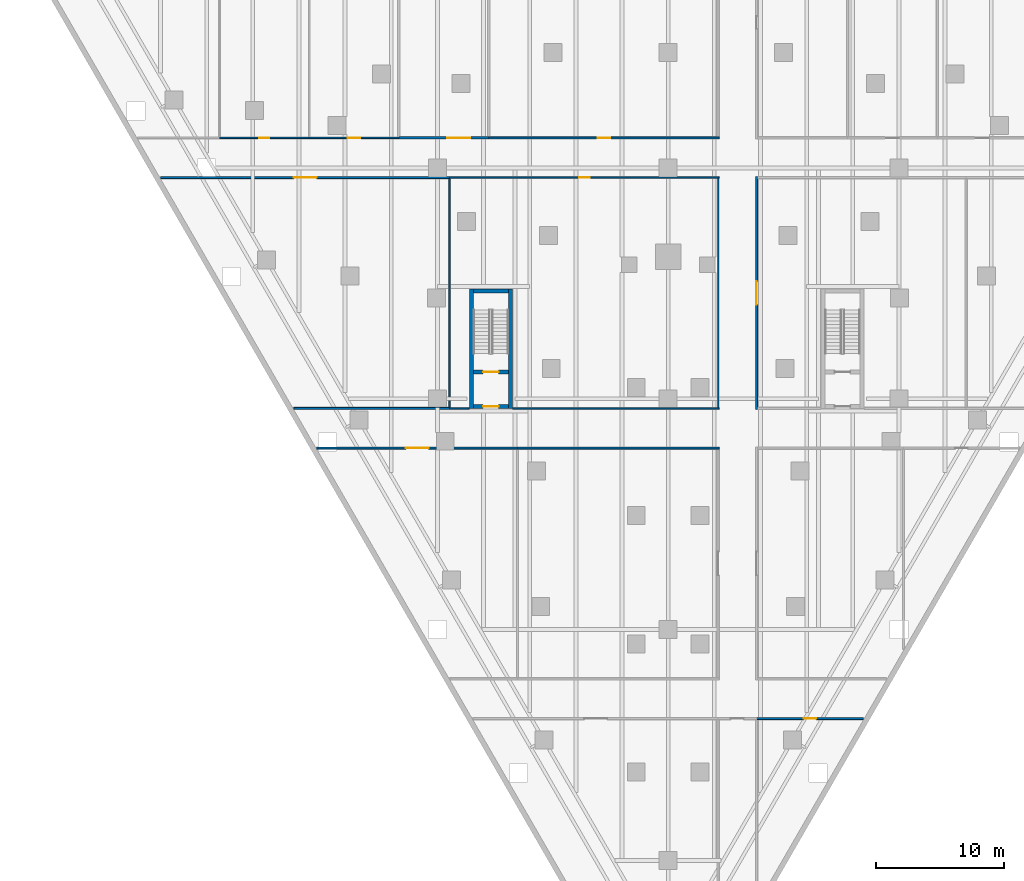
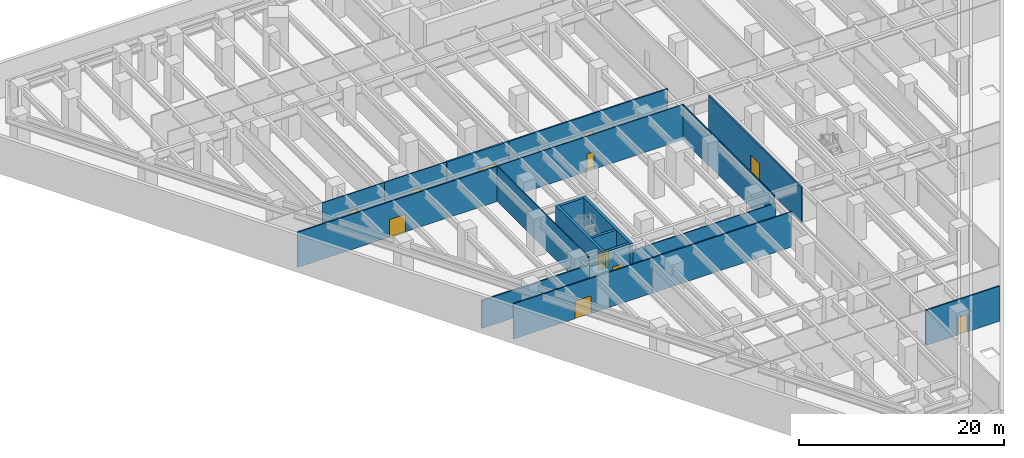
# One storey, part 10 of 20: 20 walls, 11 doors, 11 openings.
"""IFC4 building model written with IfcOpenShell, lengths in metres."""

from ifc_helpers import new_model, si_unit, direction, frame, frame_2d, origin, place, context, subcontext, project, spatial, rectangle, extrude, material, layer, layer_set, type_object, element, fill, save


model = new_model("IFC4")

# Units and contexts
model_context = context("Model", 3, precision=1e-05, world=origin(), true_north=direction((0.0, 1.0)))
body_context = subcontext(model_context, "Body", "Model", "MODEL_VIEW")
ifc_project = project(units=[si_unit("LENGTHUNIT", "METRE"), si_unit("AREAUNIT", "SQUARE_METRE"), si_unit("VOLUMEUNIT", "CUBIC_METRE"), si_unit("PLANEANGLEUNIT", "RADIAN"), si_unit("MASSUNIT", "GRAM", prefix="KILO")], contexts=[model_context])

# Site, building, storey
site_placement = place(None, origin())
site = spatial("IfcSite", under=ifc_project, at=site_placement, CompositionType="ELEMENT")
building_placement = place(site_placement, origin())
building = spatial("IfcBuilding", under=site, at=building_placement, Name="Aloe Facet Convention Tower", CompositionType="ELEMENT")
storey_placement = place(building_placement, frame((0.0, 0.0, -4.5)))
storey = spatial("IfcBuildingStorey", under=building, at=storey_placement, Name="B1", CompositionType="ELEMENT", Elevation=-4.5)

# Walls
ifc_material_1 = material(Name="Concrete C50/60", Category="concrete")
ifc_layer_1 = layer(ifc_material_1, 0.300048828125)
ifc_layer_set_1 = layer_set([ifc_layer_1], Name="CR-W-RC300-C5060")
wall_type_1 = type_object("IfcWallType", Name="CR-W-RC300-C5060", PredefinedType="SOLIDWALL", material=ifc_layer_set_1)
for number, where, z_axis, x_axis, name in (
    (1, (64.64990234375, 80.25, 0.0), (0.0, 0.0, 1.0), (0.0, 1.0, 0.0), "Exit stair wall B1-06"),
    (2, (67.699951171875, 80.25, 0.0), (0.0, 0.0, 1.0), (0.0, 1.0, 0.0), "Exit stair wall B1-07"),
):
    element("IfcWall", number, at=place(storey_placement, frame(where, z_axis=z_axis, x_axis=x_axis)), inside=storey, type_object=wall_type_1, Name=name, PredefinedType="SOLIDWALL", context=body_context, shape_type="SweptSolid", body=[
        extrude(rectangle(XDim=9.300048828125, YDim=0.300048828125, at=frame_2d((4.64990234375, 0.0))), origin(), (0.0, 0.0, 1.0), 4.199951171875),
    ])

# Wall, opening, door
wall_1_placement = place(storey_placement, frame((64.800048828125, 80.39990234375, 0.0), z_axis=(0.0, 0.0, 1.0), x_axis=(1.0, 0.0, 0.0)))
wall_1 = element("IfcWall", 3, at=wall_1_placement, inside=storey, type_object=wall_type_1, Name="Exit stair wall B1-08", PredefinedType="SOLIDWALL", context=body_context, shape_type="SweptSolid", body=[
    extrude(rectangle(XDim=2.75, YDim=0.300048828125, at=frame_2d((1.375, 0.0))), origin(), (0.0, 0.0, 1.0), 4.199951171875),
])
opening_1_placement = place(wall_1_placement, frame((0.77490234375, 0.0, 0.0)))
opening_1 = element("IfcOpeningElement", 4, at=opening_1_placement, cuts=wall_1, Name="Opening B1-ST7-02", PredefinedType="OPENING", context=body_context, shape_type="SweptSolid", body=[
    extrude(rectangle(XDim=1.199951171875, YDim=2.10009765625, at=frame_2d((0.60009765625, 1.050048828125))), frame((0.0, 0.16015625, 0.0), z_axis=(0.0, -1.0, 0.0), x_axis=(1.0, 0.0, 0.0)), (0.0, 0.0, 1.0), 0.320068359375),
])
ifc_material_2 = material(Name="Steel fire-resisting door set FD60", Category="steel")
door_type_1 = type_object("IfcDoorType", Name="CR-D-EXIT-1200-FD60-SRIGHT", OperationType="SINGLE_SWING_RIGHT", PredefinedType="DOOR", material=ifc_material_2)
door_1_placement = place(opening_1_placement, origin())
door_1 = element("IfcDoor", 5, at=door_1_placement, inside=storey, type_object=door_type_1, Name="Stair lobby door B1-ST7-02", OperationType="SINGLE_SWING_RIGHT", OverallHeight=2.10009765625, OverallWidth=1.199951171875, PredefinedType="DOOR", context=body_context, shape_type="SweptSolid", body=[
    extrude(rectangle(XDim=1.199951171875, YDim=2.10009765625, at=frame_2d((0.60009765625, 1.050048828125))), frame((0.0, 0.02490234375, 0.0), z_axis=(0.0, -1.0, 0.0), x_axis=(1.0, 0.0, 0.0)), (0.0, 0.0, 1.0), 0.050048828125),
])
fill(opening_1, door_1)

wall_2_placement = place(storey_placement, frame((64.800048828125, 83.10009765625, 0.0), z_axis=(0.0, 0.0, 1.0), x_axis=(1.0, 0.0, 0.0)))
wall_2 = element("IfcWall", 6, at=wall_2_placement, inside=storey, type_object=wall_type_1, Name="Exit stair wall B1-09", PredefinedType="SOLIDWALL", context=body_context, shape_type="SweptSolid", body=[
    extrude(rectangle(XDim=2.75, YDim=0.300048828125, at=frame_2d((1.375, 0.0))), origin(), (0.0, 0.0, 1.0), 4.199951171875),
])
opening_2_placement = place(wall_2_placement, frame((0.77490234375, 0.0, 0.0)))
opening_2 = element("IfcOpeningElement", 7, at=opening_2_placement, cuts=wall_2, Name="Opening B1-ST7-01", PredefinedType="OPENING", context=body_context, shape_type="SweptSolid", body=[
    extrude(rectangle(XDim=1.199951171875, YDim=2.10009765625, at=frame_2d((0.60009765625, 1.050048828125))), frame((0.0, 0.16015625, 0.0), z_axis=(0.0, -1.0, 0.0), x_axis=(1.0, 0.0, 0.0)), (0.0, 0.0, 1.0), 0.320068359375),
])
ifc_material_3 = material(Name="Steel fire-resisting door set FD120", Category="steel")
door_type_2 = type_object("IfcDoorType", Name="CR-D-STAIR-1200-FD120-SLEFT", OperationType="SINGLE_SWING_LEFT", PredefinedType="DOOR", material=ifc_material_3)
door_2_placement = place(opening_2_placement, origin())
door_2 = element("IfcDoor", 8, at=door_2_placement, inside=storey, type_object=door_type_2, Name="Stair door B1-ST7-01", OperationType="SINGLE_SWING_LEFT", OverallHeight=2.10009765625, OverallWidth=1.199951171875, PredefinedType="DOOR", context=body_context, shape_type="SweptSolid", body=[
    extrude(rectangle(XDim=1.199951171875, YDim=2.10009765625, at=frame_2d((0.60009765625, 1.050048828125))), frame((0.0, 0.02490234375, 0.0), z_axis=(0.0, -1.0, 0.0), x_axis=(1.0, 0.0, 0.0)), (0.0, 0.0, 1.0), 0.050048828125),
])
fill(opening_2, door_2)

# Wall
wall_3_placement = place(storey_placement, frame((64.800048828125, 89.39990234375, 0.0), z_axis=(0.0, 0.0, 1.0), x_axis=(1.0, 0.0, 0.0)))
element("IfcWall", 9, at=wall_3_placement, inside=storey, type_object=wall_type_1, Name="Exit stair wall B1-10", PredefinedType="SOLIDWALL", context=body_context, shape_type="SweptSolid", body=[
    extrude(rectangle(XDim=2.75, YDim=0.300048828125, at=frame_2d((1.375, 0.0))), origin(), (0.0, 0.0, 1.0), 4.199951171875),
])

# Wall, opening, door
ifc_material_4 = material(Name="Masonry blockwork wall, plastered", Category="masonry")
ifc_layer_2 = layer(ifc_material_4, 0.199951171875)
ifc_layer_set_2 = layer_set([ifc_layer_2], Name="IN-POD-W-ASSY")
wall_type_2 = type_object("IfcWallType", Name="IN-POD-W-ASSY", PredefinedType="PARTITIONING", material=ifc_layer_set_2)
wall_4_placement = place(storey_placement, frame((59.0, 101.35009765625, 0.0), z_axis=(0.0, 0.0, 1.0), x_axis=(1.0, 0.0, 0.0)))
wall_4 = element("IfcWall", 10, at=wall_4_placement, inside=storey, type_object=wall_type_2, Name="Partition B1-W037", PredefinedType="PARTITIONING", context=body_context, shape_type="SweptSolid", body=[
    extrude(rectangle(XDim=7.0, YDim=0.199951171875, at=frame_2d((3.5, 0.0))), origin(), (0.0, 0.0, 1.0), 4.199951171875),
])
opening_3_placement = place(wall_4_placement, frame((3.75, 0.0, 0.0)))
opening_3 = element("IfcOpeningElement", 11, at=opening_3_placement, cuts=wall_4, Name="Opening B1-006", PredefinedType="OPENING", context=body_context, shape_type="SweptSolid", body=[
    extrude(rectangle(XDim=1.800048828125, YDim=2.10009765625, at=frame_2d((0.89990234375, 1.050048828125))), frame((0.0, 0.10986328125, 0.0), z_axis=(0.0, -1.0, 0.0), x_axis=(1.0, 0.0, 0.0)), (0.0, 0.0, 1.0), 0.219970703125),
])
ifc_material_5 = material(Name="Hardwood flush door pair", Category="wood")
door_type_3 = type_object("IfcDoorType", Name="IN-POD-D-PAIR", OperationType="DOUBLE_DOOR_SINGLE_SWING", PredefinedType="DOOR", material=ifc_material_5)
door_3_placement = place(opening_3_placement, origin())
door_3 = element("IfcDoor", 12, at=door_3_placement, inside=storey, type_object=door_type_3, Name="Door B1-006", OperationType="SINGLE_SWING_LEFT", OverallHeight=2.10009765625, OverallWidth=1.800048828125, PredefinedType="DOOR", context=body_context, shape_type="SweptSolid", body=[
    extrude(rectangle(XDim=1.800048828125, YDim=2.10009765625, at=frame_2d((0.89990234375, 1.050048828125))), frame((0.0, 0.02490234375, 0.0), z_axis=(0.0, -1.0, 0.0), x_axis=(1.0, 0.0, 0.0)), (0.0, 0.0, 1.0), 0.050048828125),
])
fill(opening_3, door_3)

ifc_material_6 = material(Name="Gypsum board partition on steel studs, double layer", Category="steel")
ifc_layer_3 = layer(ifc_material_6, 0.14990234375)
ifc_layer_set_3 = layer_set([ifc_layer_3], Name="IN-POD-W-CORR")
wall_type_3 = type_object("IfcWallType", Name="IN-POD-W-CORR", PredefinedType="PARTITIONING", material=ifc_layer_set_3)
wall_5_placement = place(storey_placement, frame((86.89990234375, 56.050048828125, 0.0), z_axis=(0.0, 0.0, 1.0), x_axis=(1.0, 0.0, 0.0)))
wall_5 = element("IfcWall", 13, at=wall_5_placement, inside=storey, type_object=wall_type_3, Name="Partition B1-W005", PredefinedType="PARTITIONING", context=body_context, shape_type="SweptSolid", body=[
    extrude(rectangle(XDim=8.330322265625, YDim=0.14990234375, at=frame_2d((4.1650390625, 0.0))), origin(), (0.0, 0.0, 1.0), 4.199951171875),
])
opening_4_placement = place(wall_5_placement, frame((3.6650390625, 0.0, 0.0)))
opening_4 = element("IfcOpeningElement", 14, at=opening_4_placement, cuts=wall_5, Name="Opening B1-023", PredefinedType="OPENING", context=body_context, shape_type="SweptSolid", body=[
    extrude(rectangle(XDim=1.0, YDim=2.10009765625, at=frame_2d((0.5, 1.050048828125))), frame((0.0, 0.0849609375, 0.0), z_axis=(0.0, -1.0, 0.0), x_axis=(1.0, 0.0, 0.0)), (0.0, 0.0, 1.0), 0.169921875),
])
ifc_material_7 = material(Name="Steel flush door, galvanised", Category="steel")
door_type_4 = type_object("IfcDoorType", Name="IN-POD-D-PLANT", OperationType="SINGLE_SWING_LEFT", PredefinedType="DOOR", material=ifc_material_7)
door_4_placement = place(opening_4_placement, origin())
door_4 = element("IfcDoor", 15, at=door_4_placement, inside=storey, type_object=door_type_4, Name="Door B1-023", OperationType="SINGLE_SWING_LEFT", OverallHeight=2.10009765625, OverallWidth=1.0, PredefinedType="DOOR", context=body_context, shape_type="SweptSolid", body=[
    extrude(rectangle(XDim=1.0, YDim=2.10009765625, at=frame_2d((0.5, 1.050048828125))), frame((0.0, 0.02490234375, 0.0), z_axis=(0.0, -1.0, 0.0), x_axis=(1.0, 0.0, 0.0)), (0.0, 0.0, 1.0), 0.050048828125),
])
fill(opening_4, door_4)

wall_6_placement = place(storey_placement, frame((52.587646484375, 77.14990234375, 0.0), z_axis=(0.0, 0.0, 1.0), x_axis=(1.0, 0.0, 0.0)))
wall_6 = element("IfcWall", 16, at=wall_6_placement, inside=storey, type_object=wall_type_3, Name="Partition B1-W012", PredefinedType="PARTITIONING", context=body_context, shape_type="SweptSolid", body=[
    extrude(rectangle(XDim=15.65625, YDim=0.14990234375, at=frame_2d((7.828125, 0.0))), origin(), (0.0, 0.0, 1.0), 4.199951171875),
])
opening_5_placement = place(wall_6_placement, frame((6.927978515625, 0.0, 0.0)))
opening_5 = element("IfcOpeningElement", 17, at=opening_5_placement, cuts=wall_6, Name="Opening B1-018", PredefinedType="OPENING", context=body_context, shape_type="SweptSolid", body=[
    extrude(rectangle(XDim=1.800048828125, YDim=2.10009765625, at=frame_2d((0.89990234375, 1.050048828125))), frame((0.0, 0.0849609375, 0.0), z_axis=(0.0, -1.0, 0.0), x_axis=(1.0, 0.0, 0.0)), (0.0, 0.0, 1.0), 0.169921875),
])
ifc_material_8 = material(Name="Steel flush door pair, galvanised", Category="steel")
door_type_5 = type_object("IfcDoorType", Name="IN-POD-D-PLANTPAIR", OperationType="DOUBLE_DOOR_SINGLE_SWING", PredefinedType="DOOR", material=ifc_material_8)
door_5_placement = place(opening_5_placement, origin())
door_5 = element("IfcDoor", 18, at=door_5_placement, inside=storey, type_object=door_type_5, Name="Door B1-018", OperationType="SINGLE_SWING_LEFT", OverallHeight=2.10009765625, OverallWidth=1.800048828125, PredefinedType="DOOR", context=body_context, shape_type="SweptSolid", body=[
    extrude(rectangle(XDim=1.800048828125, YDim=2.10009765625, at=frame_2d((0.89990234375, 1.050048828125))), frame((0.0, 0.02490234375, 0.0), z_axis=(0.0, -1.0, 0.0), x_axis=(1.0, 0.0, 0.0)), (0.0, 0.0, 1.0), 0.050048828125),
])
fill(opening_5, door_5)

# Walls
wall_7_placement = place(storey_placement, frame((68.243896484375, 77.14990234375, 0.0), z_axis=(0.0, 0.0, 1.0), x_axis=(1.0, 0.0, 0.0)))
element("IfcWall", 19, at=wall_7_placement, inside=storey, type_object=wall_type_3, Name="Partition B1-W013", PredefinedType="PARTITIONING", context=body_context, shape_type="SweptSolid", body=[
    extrude(rectangle(XDim=15.731201171875, YDim=0.14990234375, at=frame_2d((7.86572265625, 0.0))), origin(), (0.0, 0.0, 1.0), 4.199951171875),
])
wall_8_placement = place(storey_placement, frame((50.7978515625, 80.25, 0.0), z_axis=(0.0, 0.0, 1.0), x_axis=(1.0, 0.0, 0.0)))
element("IfcWall", 20, at=wall_8_placement, inside=storey, type_object=wall_type_3, Name="Partition B1-W017", PredefinedType="PARTITIONING", context=body_context, shape_type="SweptSolid", body=[
    extrude(rectangle(XDim=12.155029296875, YDim=0.14990234375, at=frame_2d((6.07763671875, 0.0))), origin(), (0.0, 0.0, 1.0), 3.339111328125),
])

# Wall, opening, door
wall_9_placement = place(storey_placement, frame((86.89990234375, 80.175048828125, 0.0), z_axis=(0.0, 0.0, 1.0), x_axis=(0.0, 1.0, 0.0)))
wall_9 = element("IfcWall", 21, at=wall_9_placement, inside=storey, type_object=wall_type_3, Name="Partition B1-W021", PredefinedType="PARTITIONING", context=body_context, shape_type="SweptSolid", body=[
    extrude(rectangle(XDim=18.14990234375, YDim=0.14990234375, at=frame_2d((9.074951171875, 0.0))), origin(), (0.0, 0.0, 1.0), 4.199951171875),
])
opening_6_placement = place(wall_9_placement, frame((8.175048828125, 0.0, 0.0)))
opening_6 = element("IfcOpeningElement", 22, at=opening_6_placement, cuts=wall_9, Name="Opening B1-016", PredefinedType="OPENING", context=body_context, shape_type="SweptSolid", body=[
    extrude(rectangle(XDim=1.800048828125, YDim=2.10009765625, at=frame_2d((0.89990234375, 1.050048828125))), frame((0.0, 0.0849609375, 0.0), z_axis=(0.0, -1.0, 0.0), x_axis=(1.0, 0.0, 0.0)), (0.0, 0.0, 1.0), 0.169921875),
])
door_6_placement = place(opening_6_placement, origin())
door_6 = element("IfcDoor", 23, at=door_6_placement, inside=storey, type_object=door_type_5, Name="Door B1-016", OperationType="SINGLE_SWING_LEFT", OverallHeight=2.10009765625, OverallWidth=1.800048828125, PredefinedType="DOOR", context=body_context, shape_type="SweptSolid", body=[
    extrude(rectangle(XDim=1.800048828125, YDim=2.10009765625, at=frame_2d((0.89990234375, 1.050048828125))), frame((0.0, 0.02490234375, 0.0), z_axis=(0.0, -1.0, 0.0), x_axis=(1.0, 0.0, 0.0)), (0.0, 0.0, 1.0), 0.050048828125),
])
fill(opening_6, door_6)

wall_10_placement = place(storey_placement, frame((40.405517578125, 98.25, 0.0), z_axis=(0.0, 0.0, 1.0), x_axis=(1.0, 0.0, 0.0)))
wall_10 = element("IfcWall", 24, at=wall_10_placement, inside=storey, type_object=wall_type_3, Name="Partition B1-W026", PredefinedType="PARTITIONING", context=body_context, shape_type="SweptSolid", body=[
    extrude(rectangle(XDim=22.54736328125, YDim=0.14990234375, at=frame_2d((11.273681640625, 0.0))), origin(), (0.0, 0.0, 1.0), 4.199951171875),
])
opening_7_placement = place(wall_10_placement, frame((10.37353515625, 0.0, 0.0)))
opening_7 = element("IfcOpeningElement", 25, at=opening_7_placement, cuts=wall_10, Name="Opening B1-014", PredefinedType="OPENING", context=body_context, shape_type="SweptSolid", body=[
    extrude(rectangle(XDim=1.800048828125, YDim=2.10009765625, at=frame_2d((0.89990234375, 1.050048828125))), frame((0.0, 0.0849609375, 0.0), z_axis=(0.0, -1.0, 0.0), x_axis=(1.0, 0.0, 0.0)), (0.0, 0.0, 1.0), 0.169921875),
])
door_7_placement = place(opening_7_placement, origin())
door_7 = element("IfcDoor", 26, at=door_7_placement, inside=storey, type_object=door_type_5, Name="Door B1-014", OperationType="SINGLE_SWING_LEFT", OverallHeight=2.10009765625, OverallWidth=1.800048828125, PredefinedType="DOOR", context=body_context, shape_type="SweptSolid", body=[
    extrude(rectangle(XDim=1.800048828125, YDim=2.10009765625, at=frame_2d((0.89990234375, 1.050048828125))), frame((0.0, 0.02490234375, 0.0), z_axis=(0.0, -1.0, 0.0), x_axis=(1.0, 0.0, 0.0)), (0.0, 0.0, 1.0), 0.050048828125),
])
fill(opening_7, door_7)

wall_11_placement = place(storey_placement, frame((66.0, 101.35009765625, 0.0), z_axis=(0.0, 0.0, 1.0), x_axis=(1.0, 0.0, 0.0)))
wall_11 = element("IfcWall", 27, at=wall_11_placement, inside=storey, type_object=wall_type_3, Name="Partition B1-W039", PredefinedType="PARTITIONING", context=body_context, shape_type="SweptSolid", body=[
    extrude(rectangle(XDim=17.97509765625, YDim=0.14990234375, at=frame_2d((8.987548828125, 0.0))), origin(), (0.0, 0.0, 1.0), 4.199951171875),
])
opening_8_placement = place(wall_11_placement, frame((8.487548828125, 0.0, 0.0)))
opening_8 = element("IfcOpeningElement", 28, at=opening_8_placement, cuts=wall_11, Name="Opening B1-008", PredefinedType="OPENING", context=body_context, shape_type="SweptSolid", body=[
    extrude(rectangle(XDim=1.0, YDim=2.10009765625, at=frame_2d((0.5, 1.050048828125))), frame((0.0, 0.0849609375, 0.0), z_axis=(0.0, -1.0, 0.0), x_axis=(1.0, 0.0, 0.0)), (0.0, 0.0, 1.0), 0.169921875),
])
ifc_material_9 = material(Name="Hardwood flush door", Category="wood")
door_type_6 = type_object("IfcDoorType", Name="IN-POD-D-WIDE", OperationType="SINGLE_SWING_LEFT", PredefinedType="DOOR", material=ifc_material_9)
door_8_placement = place(opening_8_placement, origin())
door_8 = element("IfcDoor", 29, at=door_8_placement, inside=storey, type_object=door_type_6, Name="Door B1-008", OperationType="SINGLE_SWING_LEFT", OverallHeight=2.10009765625, OverallWidth=1.0, PredefinedType="DOOR", context=body_context, shape_type="SweptSolid", body=[
    extrude(rectangle(XDim=1.0, YDim=2.10009765625, at=frame_2d((0.5, 1.050048828125))), frame((0.0, 0.02490234375, 0.0), z_axis=(0.0, -1.0, 0.0), x_axis=(1.0, 0.0, 0.0)), (0.0, 0.0, 1.0), 0.050048828125),
])
fill(opening_8, door_8)

# Walls
ifc_material_10 = material(Name="Gypsum board partition on steel studs, moisture resistant", Category="steel")
ifc_layer_4 = layer(ifc_material_10, 0.10009765625)
ifc_layer_set_4 = layer_set([ifc_layer_4], Name="IN-POD-W-WET")
wall_type_4 = type_object("IfcWallType", Name="IN-POD-W-WET", PredefinedType="PARTITIONING", material=ifc_layer_set_4)
wall_12_placement = place(storey_placement, frame((62.952880859375, 80.324951171875, 0.0), z_axis=(0.0, 0.0, 1.0), x_axis=(0.0, 1.0, 0.0)))
element("IfcWall", 30, at=wall_12_placement, inside=storey, type_object=wall_type_4, Name="Partition B1-W018", PredefinedType="PARTITIONING", context=body_context, shape_type="SweptSolid", body=[
    extrude(rectangle(XDim=17.85009765625, YDim=0.10009765625, at=frame_2d((8.925048828125, 0.0))), origin(), (0.0, 0.0, 1.0), 4.199951171875),
])
wall_13_placement = place(storey_placement, frame((62.952880859375, 80.25, 0.0), z_axis=(0.0, 0.0, 1.0), x_axis=(1.0, 0.0, 0.0)))
element("IfcWall", 31, at=wall_13_placement, inside=storey, type_object=wall_type_4, Name="Partition B1-W019", PredefinedType="PARTITIONING", context=body_context, shape_type="SweptSolid", body=[
    extrude(rectangle(XDim=1.527099609375, YDim=0.10009765625, at=frame_2d((0.763671875, 0.0))), origin(), (0.0, 0.0, 1.0), 3.339111328125),
])
wall_14_placement = place(storey_placement, frame((67.8701171875, 80.25, 0.0), z_axis=(0.0, 0.0, 1.0), x_axis=(1.0, 0.0, 0.0)))
element("IfcWall", 32, at=wall_14_placement, inside=storey, type_object=wall_type_4, Name="Partition B1-W020", PredefinedType="PARTITIONING", context=body_context, shape_type="SweptSolid", body=[
    extrude(rectangle(XDim=16.10498046875, YDim=0.10009765625, at=frame_2d((8.052490234375, 0.0))), origin(), (0.0, 0.0, 1.0), 3.339111328125),
])

# Wall, opening, door
wall_15_placement = place(storey_placement, frame((62.952880859375, 98.25, 0.0), z_axis=(0.0, 0.0, 1.0), x_axis=(1.0, 0.0, 0.0)))
wall_15 = element("IfcWall", 33, at=wall_15_placement, inside=storey, type_object=wall_type_4, Name="Partition B1-W027", PredefinedType="PARTITIONING", context=body_context, shape_type="SweptSolid", body=[
    extrude(rectangle(XDim=21.022216796875, YDim=0.10009765625, at=frame_2d((10.51123046875, 0.0))), origin(), (0.0, 0.0, 1.0), 4.199951171875),
])
opening_9_placement = place(wall_15_placement, frame((10.111083984375, 0.0, 0.0)))
opening_9 = element("IfcOpeningElement", 34, at=opening_9_placement, cuts=wall_15, Name="Opening B1-015", PredefinedType="OPENING", context=body_context, shape_type="SweptSolid", body=[
    extrude(rectangle(XDim=0.800048828125, YDim=2.10009765625, at=frame_2d((0.39990234375, 1.050048828125))), frame((0.0, 0.06005859375, 0.0), z_axis=(0.0, -1.0, 0.0), x_axis=(1.0, 0.0, 0.0)), (0.0, 0.0, 1.0), 0.1201171875),
])
ifc_material_11 = material(Name="Timber flush door", Category="wood")
door_type_7 = type_object("IfcDoorType", Name="IN-POD-D-WC", OperationType="SINGLE_SWING_LEFT", PredefinedType="DOOR", material=ifc_material_11)
door_9_placement = place(opening_9_placement, origin())
door_9 = element("IfcDoor", 35, at=door_9_placement, inside=storey, type_object=door_type_7, Name="Door B1-015", OperationType="SINGLE_SWING_LEFT", OverallHeight=2.10009765625, OverallWidth=0.800048828125, PredefinedType="DOOR", context=body_context, shape_type="SweptSolid", body=[
    extrude(rectangle(XDim=0.800048828125, YDim=2.10009765625, at=frame_2d((0.39990234375, 1.050048828125))), frame((0.0, 0.02490234375, 0.0), z_axis=(0.0, -1.0, 0.0), x_axis=(1.0, 0.0, 0.0)), (0.0, 0.0, 1.0), 0.050048828125),
])
fill(opening_9, door_9)

# Wall
wall_16_placement = place(storey_placement, frame((83.89990234375, 80.324951171875, 0.0), z_axis=(0.0, 0.0, 1.0), x_axis=(0.0, 1.0, 0.0)))
element("IfcWall", 36, at=wall_16_placement, inside=storey, type_object=wall_type_4, Name="Partition B1-W028", PredefinedType="PARTITIONING", context=body_context, shape_type="SweptSolid", body=[
    extrude(rectangle(XDim=17.85009765625, YDim=0.10009765625, at=frame_2d((8.925048828125, 0.0))), origin(), (0.0, 0.0, 1.0), 4.199951171875),
])

# Wall, opening, door
wall_17_placement = place(storey_placement, frame((45.0, 101.35009765625, 0.0), z_axis=(0.0, 0.0, 1.0), x_axis=(1.0, 0.0, 0.0)))
wall_17 = element("IfcWall", 37, at=wall_17_placement, inside=storey, type_object=wall_type_4, Name="Partition B1-W033", PredefinedType="PARTITIONING", context=body_context, shape_type="SweptSolid", body=[
    extrude(rectangle(XDim=7.0, YDim=0.10009765625, at=frame_2d((3.5, 0.0))), origin(), (0.0, 0.0, 1.0), 4.199951171875),
])
opening_10_placement = place(wall_17_placement, frame((3.10009765625, 0.0, 0.0)))
opening_10 = element("IfcOpeningElement", 38, at=opening_10_placement, cuts=wall_17, Name="Opening B1-004", PredefinedType="OPENING", context=body_context, shape_type="SweptSolid", body=[
    extrude(rectangle(XDim=0.800048828125, YDim=2.10009765625, at=frame_2d((0.39990234375, 1.050048828125))), frame((0.0, 0.06005859375, 0.0), z_axis=(0.0, -1.0, 0.0), x_axis=(1.0, 0.0, 0.0)), (0.0, 0.0, 1.0), 0.1201171875),
])
door_10_placement = place(opening_10_placement, origin())
door_10 = element("IfcDoor", 39, at=door_10_placement, inside=storey, type_object=door_type_7, Name="Door B1-004", OperationType="SINGLE_SWING_LEFT", OverallHeight=2.10009765625, OverallWidth=0.800048828125, PredefinedType="DOOR", context=body_context, shape_type="SweptSolid", body=[
    extrude(rectangle(XDim=0.800048828125, YDim=2.10009765625, at=frame_2d((0.39990234375, 1.050048828125))), frame((0.0, 0.02490234375, 0.0), z_axis=(0.0, -1.0, 0.0), x_axis=(1.0, 0.0, 0.0)), (0.0, 0.0, 1.0), 0.050048828125),
])
fill(opening_10, door_10)

wall_18_placement = place(storey_placement, frame((52.0, 101.35009765625, 0.0), z_axis=(0.0, 0.0, 1.0), x_axis=(1.0, 0.0, 0.0)))
wall_18 = element("IfcWall", 40, at=wall_18_placement, inside=storey, type_object=wall_type_4, Name="Partition B1-W035", PredefinedType="PARTITIONING", context=body_context, shape_type="SweptSolid", body=[
    extrude(rectangle(XDim=7.0, YDim=0.10009765625, at=frame_2d((3.5, 0.0))), origin(), (0.0, 0.0, 1.0), 4.199951171875),
])
opening_11_placement = place(wall_18_placement, frame((3.02490234375, 0.0, 0.0)))
opening_11 = element("IfcOpeningElement", 41, at=opening_11_placement, cuts=wall_18, Name="Opening B1-005", PredefinedType="OPENING", context=body_context, shape_type="SweptSolid", body=[
    extrude(rectangle(XDim=0.949951171875, YDim=2.10009765625, at=frame_2d((0.47509765625, 1.050048828125))), frame((0.0, 0.06005859375, 0.0), z_axis=(0.0, -1.0, 0.0), x_axis=(1.0, 0.0, 0.0)), (0.0, 0.0, 1.0), 0.1201171875),
])
ifc_material_12 = material(Name="Hardwood flush door, 950 mm clear leaf", Category="wood")
door_type_8 = type_object("IfcDoorType", Name="IN-POD-D-ACC", OperationType="SINGLE_SWING_LEFT", PredefinedType="DOOR", material=ifc_material_12)
door_11_placement = place(opening_11_placement, origin())
door_11 = element("IfcDoor", 42, at=door_11_placement, inside=storey, type_object=door_type_8, Name="Door B1-005", OperationType="SINGLE_SWING_LEFT", OverallHeight=2.10009765625, OverallWidth=0.949951171875, PredefinedType="DOOR", context=body_context, shape_type="SweptSolid", body=[
    extrude(rectangle(XDim=0.949951171875, YDim=2.10009765625, at=frame_2d((0.47509765625, 1.050048828125))), frame((0.0, 0.02490234375, 0.0), z_axis=(0.0, -1.0, 0.0), x_axis=(1.0, 0.0, 0.0)), (0.0, 0.0, 1.0), 0.050048828125),
])
fill(opening_11, door_11)

save(model, "model.ifc")
